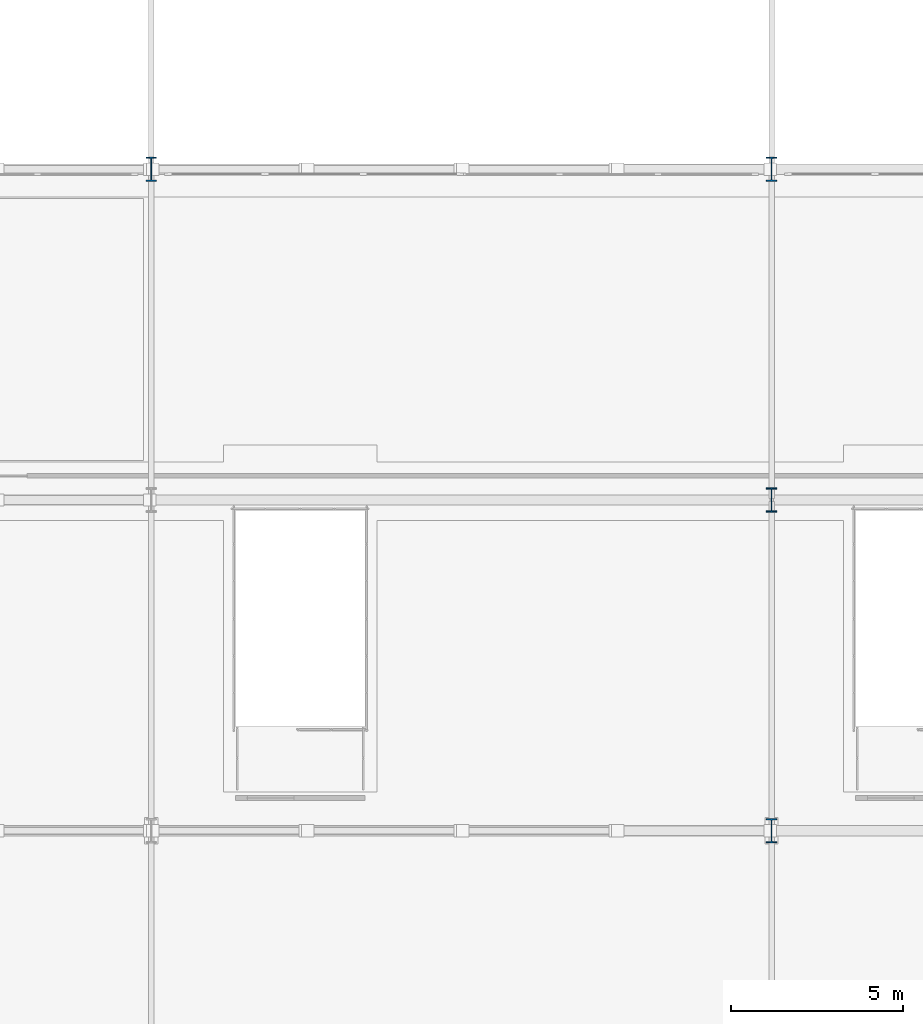
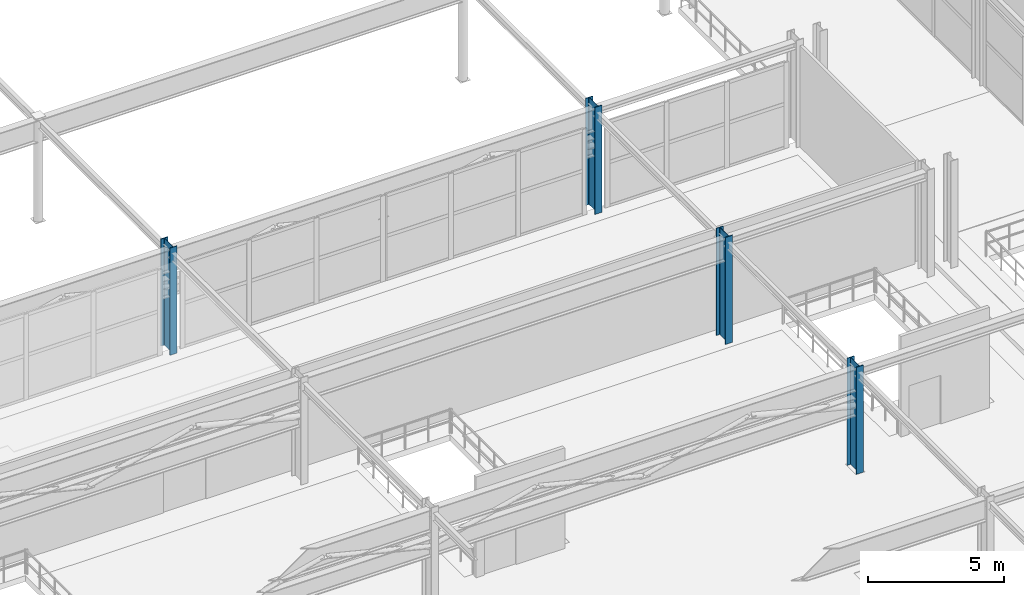
# One storey, part 10 of 125: 4 columns.
"""IFC4 building model written with IfcOpenShell, lengths in metres."""

from ifc_helpers import new_model, si_unit, direction, frame, origin, origin_2d, place, context, subcontext, project, spatial, i_section, extrude, material, material_profile, profile_set, type_object, element, save


model = new_model("IFC4")

# Units and contexts
model_context = context("Model", 3, precision=1e-05, world=origin(), true_north=direction((0.0, 1.0)))
body_context = subcontext(model_context, "Body", "Model", "MODEL_VIEW")
ifc_project = project(units=[si_unit("LENGTHUNIT", "METRE"), si_unit("AREAUNIT", "SQUARE_METRE"), si_unit("VOLUMEUNIT", "CUBIC_METRE"), si_unit("PLANEANGLEUNIT", "RADIAN"), si_unit("MASSUNIT", "GRAM", prefix="KILO")], contexts=[model_context])

# Site, building, storey
site_placement = place(None, origin())
site = spatial("IfcSite", under=ifc_project, at=site_placement, CompositionType="ELEMENT")
building_placement = place(site_placement, origin())
building = spatial("IfcBuilding", under=site, at=building_placement, Name="Myrtia Square Station", CompositionType="ELEMENT")
storey_placement = place(building_placement, frame((0.0, 0.0, 6.0)))
storey = spatial("IfcBuildingStorey", under=building, at=storey_placement, Name="L01", CompositionType="ELEMENT", Elevation=6.0)

# Columns
ifc_material = material(Name="Steel S355", Category="steel")
ifc_material_profile = material_profile(ifc_material, i_section(OverallWidth=0.300048828125, OverallDepth=0.699951171875, WebThickness=0.01708984375, FlangeThickness=0.031982421875, FilletRadius=0.027099609375, at=origin_2d()), Name="HEB 700")
ifc_profile_set = profile_set([ifc_material_profile], Name="Steel S355")
column_type = type_object("IfcColumnType", Name="COL-HEB700", PredefinedType="COLUMN", material=ifc_profile_set)
for number, where, z_axis, x_axis, name in (
    (1, (45.0, 86.39990234375, 0.0), (0.0, 0.0, 1.0), (1.0, 0.0, 0.0), "Column L01-0144"),
    (2, (63.0, 67.199951171875, 0.0), (0.0, 0.0, 1.0), (1.0, 0.0, 0.0), "Column L01-0180"),
    (3, (63.0, 76.800048828125, 0.0), (0.0, 0.0, 1.0), (1.0, 0.0, 0.0), "Column L01-0183"),
    (4, (63.0, 86.39990234375, 0.0), (0.0, 0.0, 1.0), (1.0, 0.0, 0.0), "Column L01-0186"),
):
    element("IfcColumn", number, at=place(storey_placement, frame(where, z_axis=z_axis, x_axis=x_axis)), inside=storey, type_object=column_type, Name=name, PredefinedType="COLUMN", context=body_context, shape_type="SweptSolid", body=[
        extrude(i_section(OverallWidth=0.300048828125, OverallDepth=0.699951171875, WebThickness=0.01708984375, FlangeThickness=0.031982421875, FilletRadius=0.027099609375, at=origin_2d()), origin(), (0.0, 0.0, 1.0), 4.800048828125),
    ])

save(model, "model.ifc")
